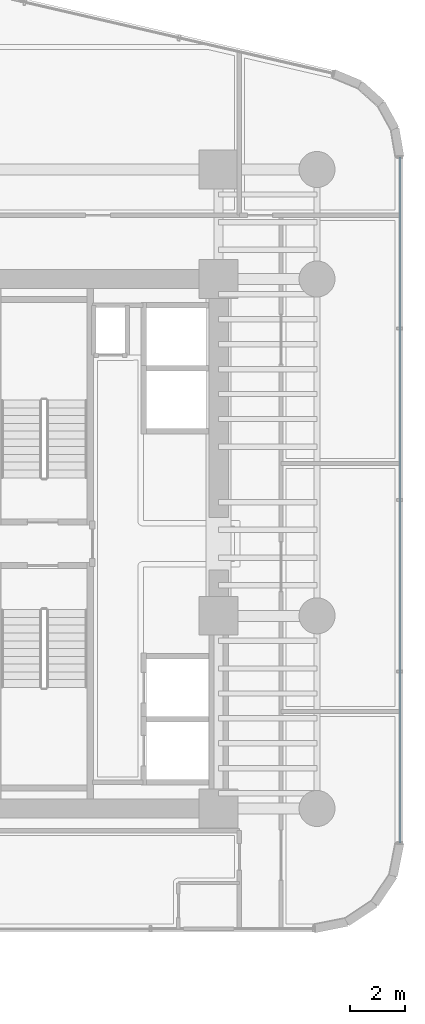
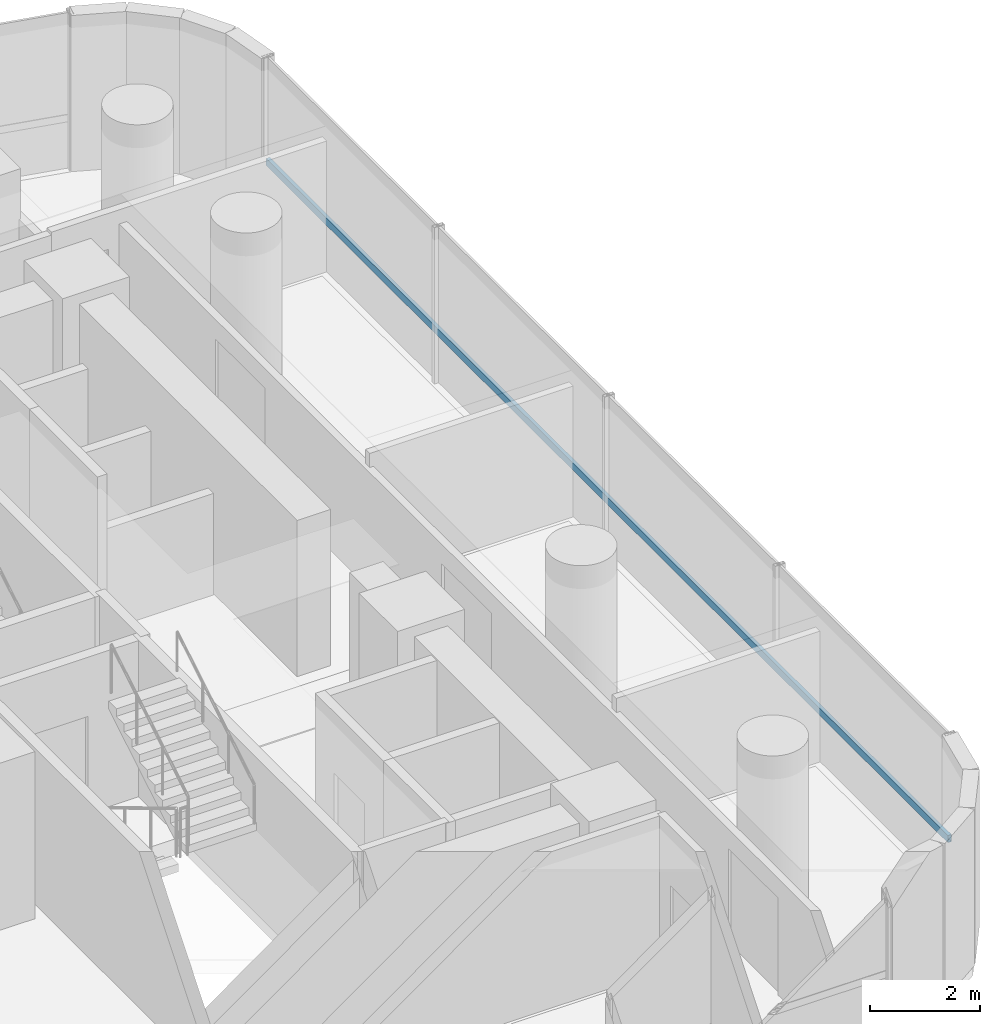
# One storey, part 27 of 42: 1 member, 1 element without a shape of its own.
"""IFC4 building model written with IfcOpenShell, lengths in metres."""

import ifcopenshell
import ifcopenshell.guid

model = None  # the IFC model being written
_history = None  # IfcOwnerHistory: only IFC2X3 demands one
_inside = {}  # id of a spatial element -> (the spatial element, [elements in it])
_under = {}  # id of a project, library or spatial element -> (it, [spatial elements below it])
_declared = {}  # id of a project -> (the project, [libraries it declares])
_typed = {}  # id of a type object -> (the type object, [elements of that type])
_made_of = {}  # id of a material, layer set ... -> (it, [elements and type objects made of it])


def new_model(schema):
    """Start an empty IFC model of exactly this schema.

    Asked for "IFC4X3", IfcOpenShell would pick the latest addendum, in which some entities
    have other attributes; the version numbers below select the first issue.
    IFC2X3 requires an IfcOwnerHistory on every rooted entity: one is made here for all.
    """
    global model, _history
    if schema == "IFC4X3":
        model = ifcopenshell.file(schema_version=(4, 3, 0, 0))
    else:
        model = ifcopenshell.file(schema=schema)
    _inside.clear()
    _under.clear()
    _declared.clear()
    _typed.clear()
    _made_of.clear()
    _history = None
    if model.schema == "IFC2X3":
        org = make("IfcOrganization", Name="unknown")
        user = make(
            "IfcPersonAndOrganization",
            ThePerson=make("IfcPerson", FamilyName="unknown"),
            TheOrganization=org,
        )
        app = make(
            "IfcApplication",
            ApplicationDeveloper=org,
            Version="unknown",
            ApplicationFullName="unknown",
            ApplicationIdentifier="unknown",
        )
        _history = make(
            "IfcOwnerHistory",
            OwningUser=user,
            OwningApplication=app,
            ChangeAction="ADDED",
            CreationDate=0,
        )
    return model


def make(cls, **values):
    """One entity of the class cls with the attributes given. An attribute that is None is left unset."""
    return model.create_entity(
        cls, **{name: value for name, value in values.items() if value is not None}
    )


def rooted(cls, **values):
    """An entity with a GlobalId (a new one), such as an element, a storey or a relation."""
    return make(cls, GlobalId=ifcopenshell.guid.new(), OwnerHistory=_history, **values)


def si_unit(unit_type, name, prefix=None):
    """IfcSIUnit, for example si_unit("LENGTHUNIT", "METRE", prefix="MILLI")."""
    return make("IfcSIUnit", UnitType=unit_type, Prefix=prefix, Name=name)


def assignment(units):
    """IfcUnitAssignment: the units of a project."""
    return None if units is None else make("IfcUnitAssignment", Units=units)


def point(xyz):
    """IfcCartesianPoint."""
    return None if xyz is None else make("IfcCartesianPoint", Coordinates=xyz)


def direction(xyz):
    """IfcDirection."""
    return None if xyz is None else make("IfcDirection", DirectionRatios=xyz)


def frame(location, z_axis=None, x_axis=None):
    """IfcAxis2Placement3D, a coordinate frame: its origin and axes. An axis left out is left unset."""
    return make(
        "IfcAxis2Placement3D",
        Location=point(location),
        Axis=direction(z_axis),
        RefDirection=direction(x_axis),
    )


def frame_2d(location, x_axis=None):
    """IfcAxis2Placement2D, a coordinate frame in the plane: its origin and x axis."""
    return make(
        "IfcAxis2Placement2D", Location=point(location), RefDirection=direction(x_axis)
    )


def origin():
    """The frame at (0, 0, 0) with its axes left unset."""
    return frame((0.0, 0.0, 0.0))


def origin_2d():
    """The frame at (0, 0) in the plane with its x axis left unset."""
    return frame_2d((0.0, 0.0))


def place(relative_to, where):
    """IfcLocalPlacement: puts the frame where relative to a parent placement (None: the world)."""
    return make(
        "IfcLocalPlacement", PlacementRelTo=relative_to, RelativePlacement=where
    )


def context(
    kind, dimensions, precision=None, world=None, true_north=None, identifier=None
):
    """IfcGeometricRepresentationContext, for example the 3D "Model" context."""
    return make(
        "IfcGeometricRepresentationContext",
        ContextIdentifier=identifier,
        ContextType=kind,
        CoordinateSpaceDimension=dimensions,
        Precision=precision,
        WorldCoordinateSystem=world,
        TrueNorth=true_north,
    )


def subcontext(parent, identifier, kind, view, scale=None):
    """IfcGeometricRepresentationSubContext, for example "Body" below "Model"."""
    return make(
        "IfcGeometricRepresentationSubContext",
        ContextIdentifier=identifier,
        ContextType=kind,
        ParentContext=parent,
        TargetScale=scale,
        TargetView=view,
    )


def project(units=None, contexts=None):
    """IfcProject with its units and contexts."""
    return rooted(
        "IfcProject",
        Name="project",
        RepresentationContexts=contexts,
        UnitsInContext=assignment(units),
    )


def spatial(cls, under=None, at=None, **own):
    """A site, building, storey or space (cls), placed at a placement, below another one or the project."""
    s = rooted(cls, ObjectPlacement=at, **own)
    if under is not None:
        _under.setdefault(under.id(), (under, []))[1].append(s)
    return s


def profile(cls, at=None, kind="AREA", **sizes):
    """A parametric profile (cls). Its sizes go by their IFC names, for example OverallWidth=200.0."""
    return make(cls, ProfileType=kind, Position=at, **sizes)


def hollow_rectangle(**sizes):
    """IfcRectangleHollowProfileDef."""
    return profile("IfcRectangleHollowProfileDef", **sizes)


def extrude(swept, where, along, depth):
    """IfcExtrudedAreaSolid: the profile swept, set in the frame where, extruded along a direction by depth."""
    return make(
        "IfcExtrudedAreaSolid",
        SweptArea=swept,
        Position=where,
        ExtrudedDirection=direction(along),
        Depth=depth,
    )


def shape(context_of_items, identifier, shape_type, items):
    """IfcShapeRepresentation: the items that make up one representation, for example the "Body"."""
    return make(
        "IfcShapeRepresentation",
        ContextOfItems=context_of_items,
        RepresentationIdentifier=identifier,
        RepresentationType=shape_type,
        Items=items,
    )


def source(mapping_origin, context_of_items, identifier, shape_type, items):
    """IfcRepresentationMap: a shape defined once, which mapped items show again and again."""
    return make(
        "IfcRepresentationMap",
        MappingOrigin=mapping_origin,
        MappedRepresentation=shape(context_of_items, identifier, shape_type, items),
    )


def transform(
    local_origin,
    x_axis=None,
    y_axis=None,
    z_axis=None,
    scale=None,
    scale2=None,
    scale3=None,
    uniform=True,
):
    """IfcCartesianTransformationOperator3D, or its non-uniform kind. x_axis, y_axis, z_axis: its Axis1, 2, 3."""
    if uniform:
        return make(
            "IfcCartesianTransformationOperator3D",
            Axis1=direction(x_axis),
            Axis2=direction(y_axis),
            LocalOrigin=point(local_origin),
            Scale=scale,
            Axis3=direction(z_axis),
        )
    return make(
        "IfcCartesianTransformationOperator3DnonUniform",
        Axis1=direction(x_axis),
        Axis2=direction(y_axis),
        LocalOrigin=point(local_origin),
        Scale=scale,
        Axis3=direction(z_axis),
        Scale2=scale2,
        Scale3=scale3,
    )


def mapped(mapping_source, mapping_target):
    """IfcMappedItem: shows the shape of a source again, moved by a transform."""
    return make(
        "IfcMappedItem", MappingSource=mapping_source, MappingTarget=mapping_target
    )


def material(Name=None, Category=None):
    """IfcMaterial."""
    return make("IfcMaterial", Name=Name, Category=Category)


def material_profile(
    of_material, cross_section, Name=None, Category=None, Priority=None
):
    """IfcMaterialProfile: a cross section and its material."""
    return make(
        "IfcMaterialProfile",
        Name=Name,
        Material=of_material,
        Profile=cross_section,
        Priority=Priority,
        Category=Category,
    )


def profile_set(profiles, Name=None, composite=None):
    """IfcMaterialProfileSet."""
    return make(
        "IfcMaterialProfileSet",
        Name=Name,
        MaterialProfiles=profiles,
        CompositeProfile=composite,
    )


def made_of(thing, what):
    """Note that an element or type object is made of a material, layer set ...; save() writes the relation."""
    if what is not None:
        _made_of.setdefault(what.id(), (what, []))[1].append(thing)
    return thing


def type_object(cls, material=None, **own):
    """A type object (cls), such as IfcWallType, which elements share."""
    return made_of(rooted(cls, **own), material)


def element(
    cls,
    number,
    at=None,
    inside=None,
    cuts=None,
    type_object=None,
    material=None,
    context=None,
    identifier="Body",
    shape_type=None,
    held_by="IfcProductDefinitionShape",
    body=None,
    shapes=None,
    **own,
):
    """One element of the class cls, such as IfcWall. Its Tag is "e" and its number.

    at: its placement. inside: the storey or other place that contains it. cuts: it is an
    opening in that element (IfcRelVoidsElement). A single representation is given by context,
    identifier, shape_type and body (its items); several are given by shapes. held_by: the class
    of the entity that holds the representations. save() writes the other relations.
    """
    e = rooted(cls, Tag="e%d" % number, ObjectPlacement=at, **own)
    if body is not None:
        shapes = [shape(context, identifier, shape_type, body)]
    if shapes is not None:
        e.Representation = make(held_by, Representations=shapes)
    if inside is not None:
        _inside.setdefault(inside.id(), (inside, []))[1].append(e)
    if cuts is not None:
        rooted(
            "IfcRelVoidsElement", RelatingBuildingElement=cuts, RelatedOpeningElement=e
        )
    if type_object is not None:
        _typed.setdefault(type_object.id(), (type_object, []))[1].append(e)
    return made_of(e, material)


def aggregate(whole, parts):
    """IfcRelAggregates: a whole, such as a stair, and the parts it consists of."""
    return rooted("IfcRelAggregates", RelatingObject=whole, RelatedObjects=parts)


def save(model, path):
    """Write the relations noted so far, then the file.

    IfcRelAggregates (storeys below a building ...), IfcRelContainedInSpatialStructure (elements
    in a storey), IfcRelDefinesByType, IfcRelAssociatesMaterial and IfcRelDeclares: one each for
    every whole, place, type object, material and project.
    """
    for whole, parts in _under.values():
        aggregate(whole, parts)
    for where, things in _inside.values():
        rooted(
            "IfcRelContainedInSpatialStructure",
            RelatedElements=things,
            RelatingStructure=where,
        )
    for kind, things in _typed.values():
        rooted("IfcRelDefinesByType", RelatedObjects=things, RelatingType=kind)
    for what, things in _made_of.values():
        rooted("IfcRelAssociatesMaterial", RelatedObjects=things, RelatingMaterial=what)
    for by, libraries in _declared.values():
        rooted("IfcRelDeclares", RelatingContext=by, RelatedDefinitions=libraries)
    model.write(path)


model = new_model("IFC4")

# Units and contexts
model_context = context("Model", 3, precision=1e-05, world=origin(), true_north=direction((0.0, 1.0)))
body_context = subcontext(model_context, "Body", "Model", "MODEL_VIEW")
ifc_project = project(units=[si_unit("LENGTHUNIT", "METRE"), si_unit("AREAUNIT", "SQUARE_METRE"), si_unit("VOLUMEUNIT", "CUBIC_METRE"), si_unit("PLANEANGLEUNIT", "RADIAN"), si_unit("MASSUNIT", "GRAM", prefix="KILO")], contexts=[model_context])

# Site, building, storey
site_placement = place(None, origin())
site = spatial("IfcSite", under=ifc_project, at=site_placement, CompositionType="ELEMENT")
building_placement = place(site_placement, origin())
building = spatial("IfcBuilding", under=site, at=building_placement, Name="Valdorenza Pilgrim Sanctuary Tower", CompositionType="ELEMENT")
storey_placement = place(building_placement, frame((0.0, 0.0, 55.60009765625)))
storey = spatial("IfcBuildingStorey", under=building, at=storey_placement, Name="L13", CompositionType="ELEMENT", Elevation=55.60009765625)

# Curtain wall, member
ifc_material_1 = material(Name="Curtain-wall IGU glazing", Category="glass")
curtain_wall_type = type_object("IfcCurtainWallType", Name="CW-SYS-03", PredefinedType="NOTDEFINED", material=ifc_material_1)
curtain_wall_placement = place(storey_placement, origin())
curtain_wall = element("IfcCurtainWall", 1, at=curtain_wall_placement, inside=storey, type_object=curtain_wall_type, Name="L13 Curtain Wall CW-L13-1-21", PredefinedType="NOTDEFINED")
ifc_material_2 = material(Name="Anodised aluminium AW-6060", Category="aluminium")
ifc_material_profile = material_profile(ifc_material_2, hollow_rectangle(XDim=0.074951171875, YDim=0.159912109375, WallThickness=0.00390625, at=origin_2d()), Name="ALU-T 160x75x4")
ifc_profile_set = profile_set([ifc_material_profile], Name="Anodised aluminium AW-6060")
member_type = type_object("IfcMemberType", Name="CW-TRN-03", PredefinedType="USERDEFINED", material=ifc_profile_set)
shared_shape = source(origin(), body_context, "Body", "SweptSolid", [
    extrude(hollow_rectangle(XDim=0.074951171875, YDim=0.159912109375, WallThickness=0.00390625, at=origin_2d()), origin(), (0.0, 0.0, 1.0), 24.734375),
])
member_placement = place(storey_placement, frame((31.389892578125, 13.945068359375, 1.119873046875), z_axis=(0.0, -1.0, 0.0), x_axis=(1.0, 0.0, 0.0)))
member = element("IfcMember", 2, at=member_placement, type_object=member_type, Name="CW-L13-1-21 Transom 1", ObjectType="TRANSOM", PredefinedType="USERDEFINED", context=body_context, shape_type="MappedRepresentation", body=[
    mapped(shared_shape, transform((0.0, 0.0, 0.0), x_axis=(1.0, 0.0, 0.0), y_axis=(0.0, 1.0, 0.0), z_axis=(0.0, 0.0, 1.0), scale=1.0)),
])
aggregate(curtain_wall, [member])

save(model, "model.ifc")
